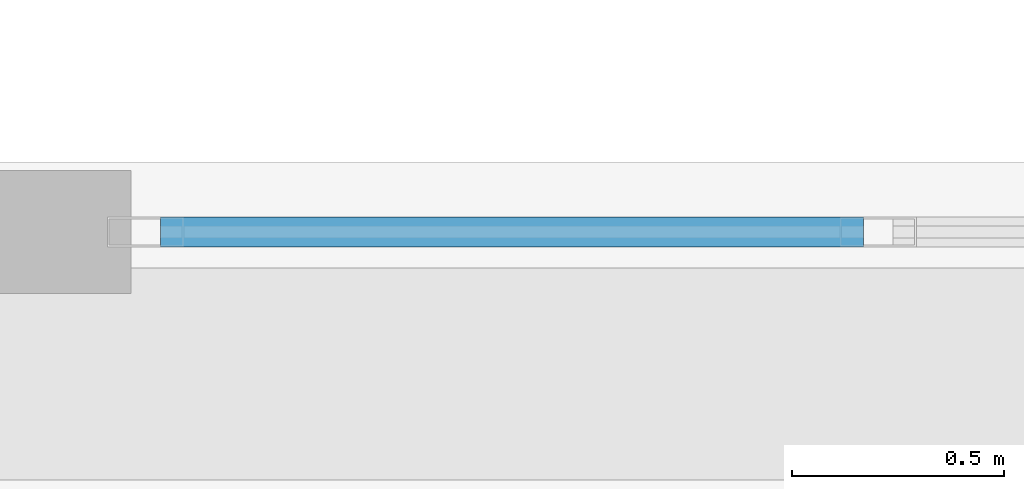
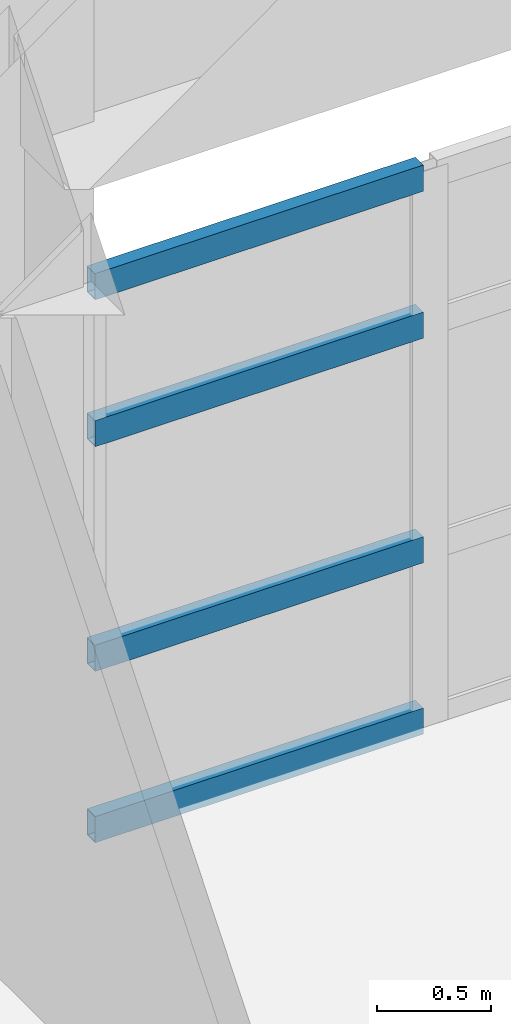
# One storey, part 64 of 103: 4 members, 1 element without a shape of its own.
"""IFC4 building model written with IfcOpenShell, lengths in metres."""

from ifc_helpers import new_model, si_unit, direction, frame, origin, origin_2d, place, context, subcontext, project, spatial, hollow_rectangle, extrude, material, layer, layer_set, material_profile, profile_set, type_object, element, aggregate, save


model = new_model("IFC4")

# Units and contexts
model_context = context("Model", 3, precision=1e-05, world=origin(), true_north=direction((0.0, 1.0)))
body_context = subcontext(model_context, "Body", "Model", "MODEL_VIEW")
ifc_project = project(units=[si_unit("LENGTHUNIT", "METRE"), si_unit("AREAUNIT", "SQUARE_METRE"), si_unit("VOLUMEUNIT", "CUBIC_METRE"), si_unit("PLANEANGLEUNIT", "RADIAN"), si_unit("MASSUNIT", "GRAM", prefix="KILO")], contexts=[model_context])

# Site, building, storey
site_placement = place(None, origin())
site = spatial("IfcSite", under=ifc_project, at=site_placement, CompositionType="ELEMENT")
building_placement = place(site_placement, origin())
building = spatial("IfcBuilding", under=site, at=building_placement, Name="Quendrovan Civic Courthouse", CompositionType="ELEMENT")
storey_placement = place(building_placement, frame((0.0, 0.0, 15.300048828125)))
storey = spatial("IfcBuildingStorey", under=building, at=storey_placement, Name="L04", CompositionType="ELEMENT", Elevation=15.300048828125)

# Curtain wall, members
ifc_material_1 = material(Name="Bronze anodised aluminium and low-E glass", Category="aluminium")
ifc_layer = layer(ifc_material_1, 0.179931640625, Name="Bronze anodised aluminium and low-E glass")
ifc_layer_set = layer_set([ifc_layer], Name="Bronze anodised aluminium and low-E glass")
curtain_wall_type = type_object("IfcCurtainWallType", Name="CW-U70x30", PredefinedType="USERDEFINED", material=ifc_layer_set)
curtain_wall_placement = place(storey_placement, origin())
curtain_wall = element("IfcCurtainWall", 1, at=curtain_wall_placement, inside=storey, type_object=curtain_wall_type, Name="L04 Unitised Hurricane Curtain Wall CW-168", ObjectType="UNITISED CURTAIN WALL", PredefinedType="USERDEFINED")
ifc_material_2 = material(Name="Bronze anodised aluminium", Category="aluminium")
ifc_material_profile = material_profile(ifc_material_2, hollow_rectangle(XDim=0.070068359375, YDim=0.139892578125, WallThickness=0.00390625, at=origin_2d()), Name="CW-TRAN-70x140")
ifc_profile_set = profile_set([ifc_material_profile], Name="Bronze anodised aluminium")
member_type = type_object("IfcMemberType", Name="CW-TRAN-A", PredefinedType="USERDEFINED", material=ifc_profile_set)
member_1_placement = place(storey_placement, frame((126.7451171875, 110.235107421875, 0.034912109375), z_axis=(1.0, 0.0, 0.0), x_axis=(0.0, 1.0, 0.0)))
member_1 = element("IfcMember", 2, at=member_1_placement, type_object=member_type, Name="CW-168 transom 1.1", ObjectType="TRANSOM", PredefinedType="USERDEFINED", context=body_context, shape_type="SweptSolid", body=[
    extrude(hollow_rectangle(XDim=0.070068359375, YDim=0.139892578125, WallThickness=0.00390625, at=origin_2d()), origin(), (0.0, 0.0, 1.0), 1.657470703125),
])
member_2_placement = place(storey_placement, frame((126.7451171875, 110.235107421875, 0.949951171875), z_axis=(1.0, 0.0, 0.0), x_axis=(0.0, 1.0, 0.0)))
member_2 = element("IfcMember", 3, at=member_2_placement, type_object=member_type, Name="CW-168 transom 1.2", ObjectType="TRANSOM", PredefinedType="USERDEFINED", context=body_context, shape_type="SweptSolid", body=[
    extrude(hollow_rectangle(XDim=0.070068359375, YDim=0.139892578125, WallThickness=0.00390625, at=origin_2d()), origin(), (0.0, 0.0, 1.0), 1.657470703125),
])
member_3_placement = place(storey_placement, frame((126.7451171875, 110.235107421875, 2.14990234375), z_axis=(1.0, 0.0, 0.0), x_axis=(0.0, 1.0, 0.0)))
member_3 = element("IfcMember", 4, at=member_3_placement, type_object=member_type, Name="CW-168 transom 1.3", ObjectType="TRANSOM", PredefinedType="USERDEFINED", context=body_context, shape_type="SweptSolid", body=[
    extrude(hollow_rectangle(XDim=0.070068359375, YDim=0.139892578125, WallThickness=0.00390625, at=origin_2d()), origin(), (0.0, 0.0, 1.0), 1.657470703125),
])
member_4_placement = place(storey_placement, frame((126.7451171875, 110.235107421875, 2.93505859375), z_axis=(1.0, 0.0, 0.0), x_axis=(0.0, 1.0, 0.0)))
member_4 = element("IfcMember", 5, at=member_4_placement, type_object=member_type, Name="CW-168 transom 1.4", ObjectType="TRANSOM", PredefinedType="USERDEFINED", context=body_context, shape_type="SweptSolid", body=[
    extrude(hollow_rectangle(XDim=0.070068359375, YDim=0.139892578125, WallThickness=0.00390625, at=origin_2d()), origin(), (0.0, 0.0, 1.0), 1.657470703125),
])
aggregate(curtain_wall, [member_1, member_2, member_3, member_4])

save(model, "model.ifc")
